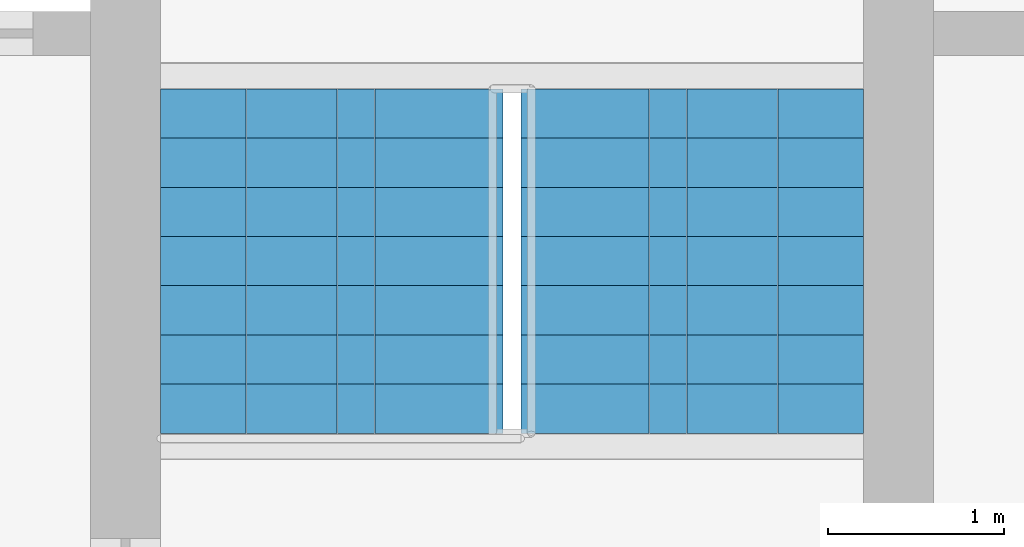
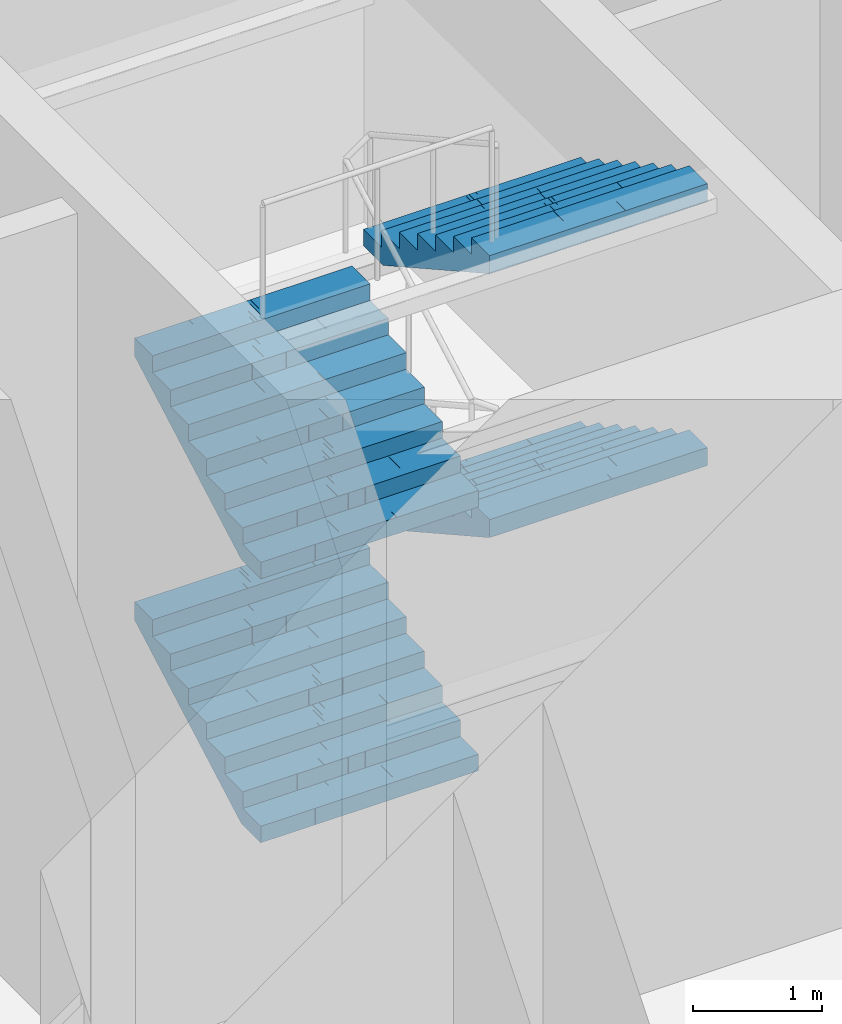
# One storey, part 11 of 13: 4 stair flights, 1 element without a shape of its own.
"""IFC4 building model written with IfcOpenShell, lengths in metres."""

from ifc_helpers import new_model, si_unit, direction, frame, origin, place, context, subcontext, project, spatial, polyline, outline, extrude, material, type_object, element, aggregate, save


model = new_model("IFC4")

# Units and contexts
model_context = context("Model", 3, precision=1e-05, world=origin(), true_north=direction((0.0, 1.0)))
body_context = subcontext(model_context, "Body", "Model", "MODEL_VIEW")
ifc_project = project(units=[si_unit("LENGTHUNIT", "METRE"), si_unit("AREAUNIT", "SQUARE_METRE"), si_unit("VOLUMEUNIT", "CUBIC_METRE"), si_unit("PLANEANGLEUNIT", "RADIAN"), si_unit("MASSUNIT", "GRAM", prefix="KILO")], contexts=[model_context])

# Site, building, storey
site_placement = place(None, origin())
site = spatial("IfcSite", under=ifc_project, at=site_placement, CompositionType="ELEMENT")
building_placement = place(site_placement, origin())
building = spatial("IfcBuilding", under=site, at=building_placement, Name="Mizan Broadcast Tower", CompositionType="ELEMENT")
storey_placement = place(building_placement, frame((0.0, 0.0, 306.300048828125)))
storey = spatial("IfcBuildingStorey", under=building, at=storey_placement, Name="L73", CompositionType="ELEMENT", Elevation=306.300048828125)

# Stair, stair flights
ifc_material_1 = material(Name="Concrete C40/50", Category="concrete")
stair_type = type_object("IfcStairType", Name="EXIT STAIR", PredefinedType="HALF_TURN_STAIR", material=ifc_material_1)
stair_placement = place(storey_placement, origin())
stair = element("IfcStair", 1, at=stair_placement, inside=storey, type_object=stair_type, Name="Stair A L73", PredefinedType="HALF_TURN_STAIR")
ifc_material_2 = material(Name="Concrete C40/50", Category="concrete")
stair_flight_type = type_object("IfcStairFlightType", Name="EXIT STAIR FLIGHT", PredefinedType="STRAIGHT", material=ifc_material_2)
stair_flight_1_placement = place(storey_placement, frame((-1.02490234375, -7.89990234375, 0.0), z_axis=(0.0, 0.0, 1.0), x_axis=(0.0, 1.0, 0.0)))
stair_flight_1 = element("IfcStairFlight", 2, at=stair_flight_1_placement, type_object=stair_flight_type, Name="A flight 1", NumberOfRisers=8, NumberOfTreads=7, PredefinedType="STRAIGHT", RiserHeight=0.15625, TreadLength=0.28, context=body_context, shape_type="SweptSolid", body=[
    extrude(outline(polyline([(0.0, 0.0), (0.0, 0.15625), (0.280029296875, 0.15625), (0.280029296875, 0.3125), (0.56005859375, 0.3125), (0.56005859375, 0.46875), (0.840087890625, 0.46875), (0.840087890625, 0.625), (1.1201171875, 0.625), (1.1201171875, 0.78125), (1.39990234375, 0.78125), (1.39990234375, 0.9375), (1.679931640625, 0.9375), (1.679931640625, 1.09375), (1.9599609375, 1.09375), (1.9599609375, 1.25), (1.9599609375, 0.922119140625), (0.3076171875, 0.0), (0.0, 0.0)])), frame((0.0, 0.97509765625, 0.0), z_axis=(0.0, -1.0, 0.0), x_axis=(1.0, 0.0, 0.0)), (0.0, 0.0, 1.0), 0.4873046875),
    extrude(outline(polyline([(0.0, 0.0), (0.0, 0.15625), (0.280029296875, 0.15625), (0.280029296875, 0.3125), (0.56005859375, 0.3125), (0.56005859375, 0.46875), (0.840087890625, 0.46875), (0.840087890625, 0.625), (1.1201171875, 0.625), (1.1201171875, 0.78125), (1.39990234375, 0.78125), (1.39990234375, 0.9375), (1.679931640625, 0.9375), (1.679931640625, 1.09375), (1.9599609375, 1.09375), (1.9599609375, 1.25), (1.9599609375, 0.922119140625), (0.3076171875, 0.0), (0.0, 0.0)])), frame((0.0, 0.4873046875, 0.0), z_axis=(0.0, -1.0, 0.0), x_axis=(1.0, 0.0, 0.0)), (0.0, 0.0, 1.0), 0.2431640625),
    extrude(outline(polyline([(0.0, 0.0), (0.0, 0.15625), (0.280029296875, 0.15625), (0.280029296875, 0.3125), (0.56005859375, 0.3125), (0.56005859375, 0.46875), (0.840087890625, 0.46875), (0.840087890625, 0.625), (1.1201171875, 0.625), (1.1201171875, 0.78125), (1.39990234375, 0.78125), (1.39990234375, 0.9375), (1.679931640625, 0.9375), (1.679931640625, 1.09375), (1.9599609375, 1.09375), (1.9599609375, 1.25), (1.9599609375, 0.922119140625), (0.3076171875, 0.0), (0.0, 0.0)])), frame((0.0, 0.24365234375, 0.0), z_axis=(0.0, -1.0, 0.0), x_axis=(1.0, 0.0, 0.0)), (0.0, 0.0, 1.0), 0.121337890625),
    extrude(outline(polyline([(0.0, 0.0), (0.0, 0.15625), (0.280029296875, 0.15625), (0.280029296875, 0.3125), (0.56005859375, 0.3125), (0.56005859375, 0.46875), (0.840087890625, 0.46875), (0.840087890625, 0.625), (1.1201171875, 0.625), (1.1201171875, 0.78125), (1.39990234375, 0.78125), (1.39990234375, 0.9375), (1.679931640625, 0.9375), (1.679931640625, 1.09375), (1.9599609375, 1.09375), (1.9599609375, 1.25), (1.9599609375, 0.922119140625), (0.3076171875, 0.0), (0.0, 0.0)])), frame((0.0, 0.121826171875, 0.0), z_axis=(0.0, -1.0, 0.0), x_axis=(1.0, 0.0, 0.0)), (0.0, 0.0, 1.0), 0.060546875),
    extrude(outline(polyline([(0.0, 0.0), (0.0, 0.15625), (0.280029296875, 0.15625), (0.280029296875, 0.3125), (0.56005859375, 0.3125), (0.56005859375, 0.46875), (0.840087890625, 0.46875), (0.840087890625, 0.625), (1.1201171875, 0.625), (1.1201171875, 0.78125), (1.39990234375, 0.78125), (1.39990234375, 0.9375), (1.679931640625, 0.9375), (1.679931640625, 1.09375), (1.9599609375, 1.09375), (1.9599609375, 1.25), (1.9599609375, 0.922119140625), (0.3076171875, 0.0), (0.0, 0.0)])), frame((0.0, 0.060791015625, 0.0), z_axis=(0.0, -1.0, 0.0), x_axis=(1.0, 0.0, 0.0)), (0.0, 0.0, 1.0), 0.030029296875),
    extrude(outline(polyline([(0.0, 0.0), (0.0, 0.15625), (0.280029296875, 0.15625), (0.280029296875, 0.3125), (0.56005859375, 0.3125), (0.56005859375, 0.46875), (0.840087890625, 0.46875), (0.840087890625, 0.625), (1.1201171875, 0.625), (1.1201171875, 0.78125), (1.39990234375, 0.78125), (1.39990234375, 0.9375), (1.679931640625, 0.9375), (1.679931640625, 1.09375), (1.9599609375, 1.09375), (1.9599609375, 1.25), (1.9599609375, 0.922119140625), (0.3076171875, 0.0), (0.0, 0.0)])), frame((0.0, 0.0302734375, 0.0), z_axis=(0.0, -1.0, 0.0), x_axis=(1.0, 0.0, 0.0)), (0.0, 0.0, 1.0), 0.060302734375),
    extrude(outline(polyline([(0.0, 0.0), (0.0, 0.15625), (0.280029296875, 0.15625), (0.280029296875, 0.3125), (0.56005859375, 0.3125), (0.56005859375, 0.46875), (0.840087890625, 0.46875), (0.840087890625, 0.625), (1.1201171875, 0.625), (1.1201171875, 0.78125), (1.39990234375, 0.78125), (1.39990234375, 0.9375), (1.679931640625, 0.9375), (1.679931640625, 1.09375), (1.9599609375, 1.09375), (1.9599609375, 1.25), (1.9599609375, 0.922119140625), (0.3076171875, 0.0), (0.0, 0.0)])), frame((0.0, -0.030517578125, 0.0), z_axis=(0.0, -1.0, 0.0), x_axis=(1.0, 0.0, 0.0)), (0.0, 0.0, 1.0), 0.030029296875),
    extrude(outline(polyline([(0.0, 0.0), (0.0, 0.15625), (0.280029296875, 0.15625), (0.280029296875, 0.3125), (0.56005859375, 0.3125), (0.56005859375, 0.46875), (0.840087890625, 0.46875), (0.840087890625, 0.625), (1.1201171875, 0.625), (1.1201171875, 0.78125), (1.39990234375, 0.78125), (1.39990234375, 0.9375), (1.679931640625, 0.9375), (1.679931640625, 1.09375), (1.9599609375, 1.09375), (1.9599609375, 1.25), (1.9599609375, 0.922119140625), (0.3076171875, 0.0), (0.0, 0.0)])), frame((0.0, -0.06103515625, 0.0), z_axis=(0.0, -1.0, 0.0), x_axis=(1.0, 0.0, 0.0)), (0.0, 0.0, 1.0), 0.060546875),
    extrude(outline(polyline([(0.0, 0.0), (0.0, 0.15625), (0.280029296875, 0.15625), (0.280029296875, 0.3125), (0.56005859375, 0.3125), (0.56005859375, 0.46875), (0.840087890625, 0.46875), (0.840087890625, 0.625), (1.1201171875, 0.625), (1.1201171875, 0.78125), (1.39990234375, 0.78125), (1.39990234375, 0.9375), (1.679931640625, 0.9375), (1.679931640625, 1.09375), (1.9599609375, 1.09375), (1.9599609375, 1.25), (1.9599609375, 0.922119140625), (0.3076171875, 0.0), (0.0, 0.0)])), frame((0.0, -0.1220703125, 0.0), z_axis=(0.0, -1.0, 0.0), x_axis=(1.0, 0.0, 0.0)), (0.0, 0.0, 1.0), 0.121337890625),
    extrude(outline(polyline([(0.0, 0.0), (0.0, 0.15625), (0.280029296875, 0.15625), (0.280029296875, 0.3125), (0.56005859375, 0.3125), (0.56005859375, 0.46875), (0.840087890625, 0.46875), (0.840087890625, 0.625), (1.1201171875, 0.625), (1.1201171875, 0.78125), (1.39990234375, 0.78125), (1.39990234375, 0.9375), (1.679931640625, 0.9375), (1.679931640625, 1.09375), (1.9599609375, 1.09375), (1.9599609375, 1.25), (1.9599609375, 0.922119140625), (0.3076171875, 0.0), (0.0, 0.0)])), frame((0.0, -0.243896484375, 0.0), z_axis=(0.0, -1.0, 0.0), x_axis=(1.0, 0.0, 0.0)), (0.0, 0.0, 1.0), 0.2431640625),
    extrude(outline(polyline([(0.0, 0.0), (0.0, 0.15625), (0.280029296875, 0.15625), (0.280029296875, 0.3125), (0.56005859375, 0.3125), (0.56005859375, 0.46875), (0.840087890625, 0.46875), (0.840087890625, 0.625), (1.1201171875, 0.625), (1.1201171875, 0.78125), (1.39990234375, 0.78125), (1.39990234375, 0.9375), (1.679931640625, 0.9375), (1.679931640625, 1.09375), (1.9599609375, 1.09375), (1.9599609375, 1.25), (1.9599609375, 0.922119140625), (0.3076171875, 0.0), (0.0, 0.0)])), frame((0.0, -0.487548828125, 0.0), z_axis=(0.0, -1.0, 0.0), x_axis=(1.0, 0.0, 0.0)), (0.0, 0.0, 1.0), 0.4873046875),
])
stair_flight_2_placement = place(storey_placement, frame((1.02490234375, -5.93994140625, 1.25), z_axis=(0.0, 0.0, 1.0), x_axis=(0.0, -1.0, 0.0)))
stair_flight_2 = element("IfcStairFlight", 3, at=stair_flight_2_placement, type_object=stair_flight_type, Name="A flight 2", NumberOfRisers=8, NumberOfTreads=7, PredefinedType="STRAIGHT", RiserHeight=0.15625, TreadLength=0.28, context=body_context, shape_type="SweptSolid", body=[
    extrude(outline(polyline([(0.0, 0.0), (0.0, 0.15625), (0.280029296875, 0.15625), (0.280029296875, 0.3125), (0.56005859375, 0.3125), (0.56005859375, 0.46875), (0.840087890625, 0.46875), (0.840087890625, 0.625), (1.1201171875, 0.625), (1.1201171875, 0.78125), (1.39990234375, 0.78125), (1.39990234375, 0.9375), (1.679931640625, 0.9375), (1.679931640625, 1.09375), (1.9599609375, 1.09375), (1.9599609375, 1.25), (1.9599609375, 0.922119140625), (0.3076171875, 0.0), (0.0, 0.0)])), frame((0.0, 0.97509765625, 0.0), z_axis=(0.0, -1.0, 0.0), x_axis=(1.0, 0.0, 0.0)), (0.0, 0.0, 1.0), 0.4873046875),
    extrude(outline(polyline([(0.0, 0.0), (0.0, 0.15625), (0.280029296875, 0.15625), (0.280029296875, 0.3125), (0.56005859375, 0.3125), (0.56005859375, 0.46875), (0.840087890625, 0.46875), (0.840087890625, 0.625), (1.1201171875, 0.625), (1.1201171875, 0.78125), (1.39990234375, 0.78125), (1.39990234375, 0.9375), (1.679931640625, 0.9375), (1.679931640625, 1.09375), (1.9599609375, 1.09375), (1.9599609375, 1.25), (1.9599609375, 0.922119140625), (0.3076171875, 0.0), (0.0, 0.0)])), frame((0.0, 0.4873046875, 0.0), z_axis=(0.0, -1.0, 0.0), x_axis=(1.0, 0.0, 0.0)), (0.0, 0.0, 1.0), 0.2431640625),
    extrude(outline(polyline([(0.0, 0.0), (0.0, 0.15625), (0.280029296875, 0.15625), (0.280029296875, 0.3125), (0.56005859375, 0.3125), (0.56005859375, 0.46875), (0.840087890625, 0.46875), (0.840087890625, 0.625), (1.1201171875, 0.625), (1.1201171875, 0.78125), (1.39990234375, 0.78125), (1.39990234375, 0.9375), (1.679931640625, 0.9375), (1.679931640625, 1.09375), (1.9599609375, 1.09375), (1.9599609375, 1.25), (1.9599609375, 0.922119140625), (0.3076171875, 0.0), (0.0, 0.0)])), frame((0.0, 0.24365234375, 0.0), z_axis=(0.0, -1.0, 0.0), x_axis=(1.0, 0.0, 0.0)), (0.0, 0.0, 1.0), 0.121337890625),
    extrude(outline(polyline([(0.0, 0.0), (0.0, 0.15625), (0.280029296875, 0.15625), (0.280029296875, 0.3125), (0.56005859375, 0.3125), (0.56005859375, 0.46875), (0.840087890625, 0.46875), (0.840087890625, 0.625), (1.1201171875, 0.625), (1.1201171875, 0.78125), (1.39990234375, 0.78125), (1.39990234375, 0.9375), (1.679931640625, 0.9375), (1.679931640625, 1.09375), (1.9599609375, 1.09375), (1.9599609375, 1.25), (1.9599609375, 0.922119140625), (0.3076171875, 0.0), (0.0, 0.0)])), frame((0.0, 0.121826171875, 0.0), z_axis=(0.0, -1.0, 0.0), x_axis=(1.0, 0.0, 0.0)), (0.0, 0.0, 1.0), 0.060546875),
    extrude(outline(polyline([(0.0, 0.0), (0.0, 0.15625), (0.280029296875, 0.15625), (0.280029296875, 0.3125), (0.56005859375, 0.3125), (0.56005859375, 0.46875), (0.840087890625, 0.46875), (0.840087890625, 0.625), (1.1201171875, 0.625), (1.1201171875, 0.78125), (1.39990234375, 0.78125), (1.39990234375, 0.9375), (1.679931640625, 0.9375), (1.679931640625, 1.09375), (1.9599609375, 1.09375), (1.9599609375, 1.25), (1.9599609375, 0.922119140625), (0.3076171875, 0.0), (0.0, 0.0)])), frame((0.0, 0.060791015625, 0.0), z_axis=(0.0, -1.0, 0.0), x_axis=(1.0, 0.0, 0.0)), (0.0, 0.0, 1.0), 0.030029296875),
    extrude(outline(polyline([(0.0, 0.0), (0.0, 0.15625), (0.280029296875, 0.15625), (0.280029296875, 0.3125), (0.56005859375, 0.3125), (0.56005859375, 0.46875), (0.840087890625, 0.46875), (0.840087890625, 0.625), (1.1201171875, 0.625), (1.1201171875, 0.78125), (1.39990234375, 0.78125), (1.39990234375, 0.9375), (1.679931640625, 0.9375), (1.679931640625, 1.09375), (1.9599609375, 1.09375), (1.9599609375, 1.25), (1.9599609375, 0.922119140625), (0.3076171875, 0.0), (0.0, 0.0)])), frame((0.0, 0.0302734375, 0.0), z_axis=(0.0, -1.0, 0.0), x_axis=(1.0, 0.0, 0.0)), (0.0, 0.0, 1.0), 0.060302734375),
    extrude(outline(polyline([(0.0, 0.0), (0.0, 0.15625), (0.280029296875, 0.15625), (0.280029296875, 0.3125), (0.56005859375, 0.3125), (0.56005859375, 0.46875), (0.840087890625, 0.46875), (0.840087890625, 0.625), (1.1201171875, 0.625), (1.1201171875, 0.78125), (1.39990234375, 0.78125), (1.39990234375, 0.9375), (1.679931640625, 0.9375), (1.679931640625, 1.09375), (1.9599609375, 1.09375), (1.9599609375, 1.25), (1.9599609375, 0.922119140625), (0.3076171875, 0.0), (0.0, 0.0)])), frame((0.0, -0.030517578125, 0.0), z_axis=(0.0, -1.0, 0.0), x_axis=(1.0, 0.0, 0.0)), (0.0, 0.0, 1.0), 0.030029296875),
    extrude(outline(polyline([(0.0, 0.0), (0.0, 0.15625), (0.280029296875, 0.15625), (0.280029296875, 0.3125), (0.56005859375, 0.3125), (0.56005859375, 0.46875), (0.840087890625, 0.46875), (0.840087890625, 0.625), (1.1201171875, 0.625), (1.1201171875, 0.78125), (1.39990234375, 0.78125), (1.39990234375, 0.9375), (1.679931640625, 0.9375), (1.679931640625, 1.09375), (1.9599609375, 1.09375), (1.9599609375, 1.25), (1.9599609375, 0.922119140625), (0.3076171875, 0.0), (0.0, 0.0)])), frame((0.0, -0.06103515625, 0.0), z_axis=(0.0, -1.0, 0.0), x_axis=(1.0, 0.0, 0.0)), (0.0, 0.0, 1.0), 0.060546875),
    extrude(outline(polyline([(0.0, 0.0), (0.0, 0.15625), (0.280029296875, 0.15625), (0.280029296875, 0.3125), (0.56005859375, 0.3125), (0.56005859375, 0.46875), (0.840087890625, 0.46875), (0.840087890625, 0.625), (1.1201171875, 0.625), (1.1201171875, 0.78125), (1.39990234375, 0.78125), (1.39990234375, 0.9375), (1.679931640625, 0.9375), (1.679931640625, 1.09375), (1.9599609375, 1.09375), (1.9599609375, 1.25), (1.9599609375, 0.922119140625), (0.3076171875, 0.0), (0.0, 0.0)])), frame((0.0, -0.1220703125, 0.0), z_axis=(0.0, -1.0, 0.0), x_axis=(1.0, 0.0, 0.0)), (0.0, 0.0, 1.0), 0.121337890625),
    extrude(outline(polyline([(0.0, 0.0), (0.0, 0.15625), (0.280029296875, 0.15625), (0.280029296875, 0.3125), (0.56005859375, 0.3125), (0.56005859375, 0.46875), (0.840087890625, 0.46875), (0.840087890625, 0.625), (1.1201171875, 0.625), (1.1201171875, 0.78125), (1.39990234375, 0.78125), (1.39990234375, 0.9375), (1.679931640625, 0.9375), (1.679931640625, 1.09375), (1.9599609375, 1.09375), (1.9599609375, 1.25), (1.9599609375, 0.922119140625), (0.3076171875, 0.0), (0.0, 0.0)])), frame((0.0, -0.243896484375, 0.0), z_axis=(0.0, -1.0, 0.0), x_axis=(1.0, 0.0, 0.0)), (0.0, 0.0, 1.0), 0.2431640625),
    extrude(outline(polyline([(0.0, 0.0), (0.0, 0.15625), (0.280029296875, 0.15625), (0.280029296875, 0.3125), (0.56005859375, 0.3125), (0.56005859375, 0.46875), (0.840087890625, 0.46875), (0.840087890625, 0.625), (1.1201171875, 0.625), (1.1201171875, 0.78125), (1.39990234375, 0.78125), (1.39990234375, 0.9375), (1.679931640625, 0.9375), (1.679931640625, 1.09375), (1.9599609375, 1.09375), (1.9599609375, 1.25), (1.9599609375, 0.922119140625), (0.3076171875, 0.0), (0.0, 0.0)])), frame((0.0, -0.487548828125, 0.0), z_axis=(0.0, -1.0, 0.0), x_axis=(1.0, 0.0, 0.0)), (0.0, 0.0, 1.0), 0.4873046875),
])
stair_flight_3_placement = place(storey_placement, frame((-1.02490234375, -7.89990234375, 2.5), z_axis=(0.0, 0.0, 1.0), x_axis=(0.0, 1.0, 0.0)))
stair_flight_3 = element("IfcStairFlight", 4, at=stair_flight_3_placement, type_object=stair_flight_type, Name="A flight 3", NumberOfRisers=8, NumberOfTreads=7, PredefinedType="STRAIGHT", RiserHeight=0.15625, TreadLength=0.28, context=body_context, shape_type="SweptSolid", body=[
    extrude(outline(polyline([(0.0, 0.0), (0.0, 0.15625), (0.280029296875, 0.15625), (0.280029296875, 0.3125), (0.56005859375, 0.3125), (0.56005859375, 0.46875), (0.840087890625, 0.46875), (0.840087890625, 0.625), (1.1201171875, 0.625), (1.1201171875, 0.78125), (1.39990234375, 0.78125), (1.39990234375, 0.9375), (1.679931640625, 0.9375), (1.679931640625, 1.09375), (1.9599609375, 1.09375), (1.9599609375, 1.25), (1.9599609375, 0.922119140625), (0.3076171875, 0.0), (0.0, 0.0)])), frame((0.0, 0.97509765625, 0.0), z_axis=(0.0, -1.0, 0.0), x_axis=(1.0, 0.0, 0.0)), (0.0, 0.0, 1.0), 0.4873046875),
    extrude(outline(polyline([(0.0, 0.0), (0.0, 0.15625), (0.280029296875, 0.15625), (0.280029296875, 0.3125), (0.56005859375, 0.3125), (0.56005859375, 0.46875), (0.840087890625, 0.46875), (0.840087890625, 0.625), (1.1201171875, 0.625), (1.1201171875, 0.78125), (1.39990234375, 0.78125), (1.39990234375, 0.9375), (1.679931640625, 0.9375), (1.679931640625, 1.09375), (1.9599609375, 1.09375), (1.9599609375, 1.25), (1.9599609375, 0.922119140625), (0.3076171875, 0.0), (0.0, 0.0)])), frame((0.0, 0.4873046875, 0.0), z_axis=(0.0, -1.0, 0.0), x_axis=(1.0, 0.0, 0.0)), (0.0, 0.0, 1.0), 0.2431640625),
    extrude(outline(polyline([(0.0, 0.0), (0.0, 0.15625), (0.280029296875, 0.15625), (0.280029296875, 0.3125), (0.56005859375, 0.3125), (0.56005859375, 0.46875), (0.840087890625, 0.46875), (0.840087890625, 0.625), (1.1201171875, 0.625), (1.1201171875, 0.78125), (1.39990234375, 0.78125), (1.39990234375, 0.9375), (1.679931640625, 0.9375), (1.679931640625, 1.09375), (1.9599609375, 1.09375), (1.9599609375, 1.25), (1.9599609375, 0.922119140625), (0.3076171875, 0.0), (0.0, 0.0)])), frame((0.0, 0.24365234375, 0.0), z_axis=(0.0, -1.0, 0.0), x_axis=(1.0, 0.0, 0.0)), (0.0, 0.0, 1.0), 0.121337890625),
    extrude(outline(polyline([(0.0, 0.0), (0.0, 0.15625), (0.280029296875, 0.15625), (0.280029296875, 0.3125), (0.56005859375, 0.3125), (0.56005859375, 0.46875), (0.840087890625, 0.46875), (0.840087890625, 0.625), (1.1201171875, 0.625), (1.1201171875, 0.78125), (1.39990234375, 0.78125), (1.39990234375, 0.9375), (1.679931640625, 0.9375), (1.679931640625, 1.09375), (1.9599609375, 1.09375), (1.9599609375, 1.25), (1.9599609375, 0.922119140625), (0.3076171875, 0.0), (0.0, 0.0)])), frame((0.0, 0.121826171875, 0.0), z_axis=(0.0, -1.0, 0.0), x_axis=(1.0, 0.0, 0.0)), (0.0, 0.0, 1.0), 0.060546875),
    extrude(outline(polyline([(0.0, 0.0), (0.0, 0.15625), (0.280029296875, 0.15625), (0.280029296875, 0.3125), (0.56005859375, 0.3125), (0.56005859375, 0.46875), (0.840087890625, 0.46875), (0.840087890625, 0.625), (1.1201171875, 0.625), (1.1201171875, 0.78125), (1.39990234375, 0.78125), (1.39990234375, 0.9375), (1.679931640625, 0.9375), (1.679931640625, 1.09375), (1.9599609375, 1.09375), (1.9599609375, 1.25), (1.9599609375, 0.922119140625), (0.3076171875, 0.0), (0.0, 0.0)])), frame((0.0, 0.060791015625, 0.0), z_axis=(0.0, -1.0, 0.0), x_axis=(1.0, 0.0, 0.0)), (0.0, 0.0, 1.0), 0.030029296875),
    extrude(outline(polyline([(0.0, 0.0), (0.0, 0.15625), (0.280029296875, 0.15625), (0.280029296875, 0.3125), (0.56005859375, 0.3125), (0.56005859375, 0.46875), (0.840087890625, 0.46875), (0.840087890625, 0.625), (1.1201171875, 0.625), (1.1201171875, 0.78125), (1.39990234375, 0.78125), (1.39990234375, 0.9375), (1.679931640625, 0.9375), (1.679931640625, 1.09375), (1.9599609375, 1.09375), (1.9599609375, 1.25), (1.9599609375, 0.922119140625), (0.3076171875, 0.0), (0.0, 0.0)])), frame((0.0, 0.0302734375, 0.0), z_axis=(0.0, -1.0, 0.0), x_axis=(1.0, 0.0, 0.0)), (0.0, 0.0, 1.0), 0.060302734375),
    extrude(outline(polyline([(0.0, 0.0), (0.0, 0.15625), (0.280029296875, 0.15625), (0.280029296875, 0.3125), (0.56005859375, 0.3125), (0.56005859375, 0.46875), (0.840087890625, 0.46875), (0.840087890625, 0.625), (1.1201171875, 0.625), (1.1201171875, 0.78125), (1.39990234375, 0.78125), (1.39990234375, 0.9375), (1.679931640625, 0.9375), (1.679931640625, 1.09375), (1.9599609375, 1.09375), (1.9599609375, 1.25), (1.9599609375, 0.922119140625), (0.3076171875, 0.0), (0.0, 0.0)])), frame((0.0, -0.030517578125, 0.0), z_axis=(0.0, -1.0, 0.0), x_axis=(1.0, 0.0, 0.0)), (0.0, 0.0, 1.0), 0.030029296875),
    extrude(outline(polyline([(0.0, 0.0), (0.0, 0.15625), (0.280029296875, 0.15625), (0.280029296875, 0.3125), (0.56005859375, 0.3125), (0.56005859375, 0.46875), (0.840087890625, 0.46875), (0.840087890625, 0.625), (1.1201171875, 0.625), (1.1201171875, 0.78125), (1.39990234375, 0.78125), (1.39990234375, 0.9375), (1.679931640625, 0.9375), (1.679931640625, 1.09375), (1.9599609375, 1.09375), (1.9599609375, 1.25), (1.9599609375, 0.922119140625), (0.3076171875, 0.0), (0.0, 0.0)])), frame((0.0, -0.06103515625, 0.0), z_axis=(0.0, -1.0, 0.0), x_axis=(1.0, 0.0, 0.0)), (0.0, 0.0, 1.0), 0.060546875),
    extrude(outline(polyline([(0.0, 0.0), (0.0, 0.15625), (0.280029296875, 0.15625), (0.280029296875, 0.3125), (0.56005859375, 0.3125), (0.56005859375, 0.46875), (0.840087890625, 0.46875), (0.840087890625, 0.625), (1.1201171875, 0.625), (1.1201171875, 0.78125), (1.39990234375, 0.78125), (1.39990234375, 0.9375), (1.679931640625, 0.9375), (1.679931640625, 1.09375), (1.9599609375, 1.09375), (1.9599609375, 1.25), (1.9599609375, 0.922119140625), (0.3076171875, 0.0), (0.0, 0.0)])), frame((0.0, -0.1220703125, 0.0), z_axis=(0.0, -1.0, 0.0), x_axis=(1.0, 0.0, 0.0)), (0.0, 0.0, 1.0), 0.121337890625),
    extrude(outline(polyline([(0.0, 0.0), (0.0, 0.15625), (0.280029296875, 0.15625), (0.280029296875, 0.3125), (0.56005859375, 0.3125), (0.56005859375, 0.46875), (0.840087890625, 0.46875), (0.840087890625, 0.625), (1.1201171875, 0.625), (1.1201171875, 0.78125), (1.39990234375, 0.78125), (1.39990234375, 0.9375), (1.679931640625, 0.9375), (1.679931640625, 1.09375), (1.9599609375, 1.09375), (1.9599609375, 1.25), (1.9599609375, 0.922119140625), (0.3076171875, 0.0), (0.0, 0.0)])), frame((0.0, -0.243896484375, 0.0), z_axis=(0.0, -1.0, 0.0), x_axis=(1.0, 0.0, 0.0)), (0.0, 0.0, 1.0), 0.2431640625),
    extrude(outline(polyline([(0.0, 0.0), (0.0, 0.15625), (0.280029296875, 0.15625), (0.280029296875, 0.3125), (0.56005859375, 0.3125), (0.56005859375, 0.46875), (0.840087890625, 0.46875), (0.840087890625, 0.625), (1.1201171875, 0.625), (1.1201171875, 0.78125), (1.39990234375, 0.78125), (1.39990234375, 0.9375), (1.679931640625, 0.9375), (1.679931640625, 1.09375), (1.9599609375, 1.09375), (1.9599609375, 1.25), (1.9599609375, 0.922119140625), (0.3076171875, 0.0), (0.0, 0.0)])), frame((0.0, -0.487548828125, 0.0), z_axis=(0.0, -1.0, 0.0), x_axis=(1.0, 0.0, 0.0)), (0.0, 0.0, 1.0), 0.4873046875),
])
stair_flight_4_placement = place(storey_placement, frame((1.02490234375, -5.93994140625, 3.75), z_axis=(0.0, 0.0, 1.0), x_axis=(0.0, -1.0, 0.0)))
stair_flight_4 = element("IfcStairFlight", 5, at=stair_flight_4_placement, type_object=stair_flight_type, Name="A flight 4", NumberOfRisers=8, NumberOfTreads=7, PredefinedType="STRAIGHT", RiserHeight=0.15625, TreadLength=0.28, context=body_context, shape_type="SweptSolid", body=[
    extrude(outline(polyline([(0.0, 0.0), (0.0, 0.15625), (0.280029296875, 0.15625), (0.280029296875, 0.3125), (0.56005859375, 0.3125), (0.56005859375, 0.46875), (0.840087890625, 0.46875), (0.840087890625, 0.625), (1.1201171875, 0.625), (1.1201171875, 0.78125), (1.39990234375, 0.78125), (1.39990234375, 0.9375), (1.679931640625, 0.9375), (1.679931640625, 1.09375), (1.9599609375, 1.09375), (1.9599609375, 1.25), (1.9599609375, 0.922119140625), (0.3076171875, 0.0), (0.0, 0.0)])), frame((0.0, 0.97509765625, 0.0), z_axis=(0.0, -1.0, 0.0), x_axis=(1.0, 0.0, 0.0)), (0.0, 0.0, 1.0), 0.4873046875),
    extrude(outline(polyline([(0.0, 0.0), (0.0, 0.15625), (0.280029296875, 0.15625), (0.280029296875, 0.3125), (0.56005859375, 0.3125), (0.56005859375, 0.46875), (0.840087890625, 0.46875), (0.840087890625, 0.625), (1.1201171875, 0.625), (1.1201171875, 0.78125), (1.39990234375, 0.78125), (1.39990234375, 0.9375), (1.679931640625, 0.9375), (1.679931640625, 1.09375), (1.9599609375, 1.09375), (1.9599609375, 1.25), (1.9599609375, 0.922119140625), (0.3076171875, 0.0), (0.0, 0.0)])), frame((0.0, 0.4873046875, 0.0), z_axis=(0.0, -1.0, 0.0), x_axis=(1.0, 0.0, 0.0)), (0.0, 0.0, 1.0), 0.2431640625),
    extrude(outline(polyline([(0.0, 0.0), (0.0, 0.15625), (0.280029296875, 0.15625), (0.280029296875, 0.3125), (0.56005859375, 0.3125), (0.56005859375, 0.46875), (0.840087890625, 0.46875), (0.840087890625, 0.625), (1.1201171875, 0.625), (1.1201171875, 0.78125), (1.39990234375, 0.78125), (1.39990234375, 0.9375), (1.679931640625, 0.9375), (1.679931640625, 1.09375), (1.9599609375, 1.09375), (1.9599609375, 1.25), (1.9599609375, 0.922119140625), (0.3076171875, 0.0), (0.0, 0.0)])), frame((0.0, 0.24365234375, 0.0), z_axis=(0.0, -1.0, 0.0), x_axis=(1.0, 0.0, 0.0)), (0.0, 0.0, 1.0), 0.121337890625),
    extrude(outline(polyline([(0.0, 0.0), (0.0, 0.15625), (0.280029296875, 0.15625), (0.280029296875, 0.3125), (0.56005859375, 0.3125), (0.56005859375, 0.46875), (0.840087890625, 0.46875), (0.840087890625, 0.625), (1.1201171875, 0.625), (1.1201171875, 0.78125), (1.39990234375, 0.78125), (1.39990234375, 0.9375), (1.679931640625, 0.9375), (1.679931640625, 1.09375), (1.9599609375, 1.09375), (1.9599609375, 1.25), (1.9599609375, 0.922119140625), (0.3076171875, 0.0), (0.0, 0.0)])), frame((0.0, 0.121826171875, 0.0), z_axis=(0.0, -1.0, 0.0), x_axis=(1.0, 0.0, 0.0)), (0.0, 0.0, 1.0), 0.060546875),
    extrude(outline(polyline([(0.0, 0.0), (0.0, 0.15625), (0.280029296875, 0.15625), (0.280029296875, 0.3125), (0.56005859375, 0.3125), (0.56005859375, 0.46875), (0.840087890625, 0.46875), (0.840087890625, 0.625), (1.1201171875, 0.625), (1.1201171875, 0.78125), (1.39990234375, 0.78125), (1.39990234375, 0.9375), (1.679931640625, 0.9375), (1.679931640625, 1.09375), (1.9599609375, 1.09375), (1.9599609375, 1.25), (1.9599609375, 0.922119140625), (0.3076171875, 0.0), (0.0, 0.0)])), frame((0.0, 0.060791015625, 0.0), z_axis=(0.0, -1.0, 0.0), x_axis=(1.0, 0.0, 0.0)), (0.0, 0.0, 1.0), 0.030029296875),
    extrude(outline(polyline([(0.0, 0.0), (0.0, 0.15625), (0.280029296875, 0.15625), (0.280029296875, 0.3125), (0.56005859375, 0.3125), (0.56005859375, 0.46875), (0.840087890625, 0.46875), (0.840087890625, 0.625), (1.1201171875, 0.625), (1.1201171875, 0.78125), (1.39990234375, 0.78125), (1.39990234375, 0.9375), (1.679931640625, 0.9375), (1.679931640625, 1.09375), (1.9599609375, 1.09375), (1.9599609375, 1.25), (1.9599609375, 0.922119140625), (0.3076171875, 0.0), (0.0, 0.0)])), frame((0.0, 0.0302734375, 0.0), z_axis=(0.0, -1.0, 0.0), x_axis=(1.0, 0.0, 0.0)), (0.0, 0.0, 1.0), 0.060302734375),
    extrude(outline(polyline([(0.0, 0.0), (0.0, 0.15625), (0.280029296875, 0.15625), (0.280029296875, 0.3125), (0.56005859375, 0.3125), (0.56005859375, 0.46875), (0.840087890625, 0.46875), (0.840087890625, 0.625), (1.1201171875, 0.625), (1.1201171875, 0.78125), (1.39990234375, 0.78125), (1.39990234375, 0.9375), (1.679931640625, 0.9375), (1.679931640625, 1.09375), (1.9599609375, 1.09375), (1.9599609375, 1.25), (1.9599609375, 0.922119140625), (0.3076171875, 0.0), (0.0, 0.0)])), frame((0.0, -0.030517578125, 0.0), z_axis=(0.0, -1.0, 0.0), x_axis=(1.0, 0.0, 0.0)), (0.0, 0.0, 1.0), 0.030029296875),
    extrude(outline(polyline([(0.0, 0.0), (0.0, 0.15625), (0.280029296875, 0.15625), (0.280029296875, 0.3125), (0.56005859375, 0.3125), (0.56005859375, 0.46875), (0.840087890625, 0.46875), (0.840087890625, 0.625), (1.1201171875, 0.625), (1.1201171875, 0.78125), (1.39990234375, 0.78125), (1.39990234375, 0.9375), (1.679931640625, 0.9375), (1.679931640625, 1.09375), (1.9599609375, 1.09375), (1.9599609375, 1.25), (1.9599609375, 0.922119140625), (0.3076171875, 0.0), (0.0, 0.0)])), frame((0.0, -0.06103515625, 0.0), z_axis=(0.0, -1.0, 0.0), x_axis=(1.0, 0.0, 0.0)), (0.0, 0.0, 1.0), 0.060546875),
    extrude(outline(polyline([(0.0, 0.0), (0.0, 0.15625), (0.280029296875, 0.15625), (0.280029296875, 0.3125), (0.56005859375, 0.3125), (0.56005859375, 0.46875), (0.840087890625, 0.46875), (0.840087890625, 0.625), (1.1201171875, 0.625), (1.1201171875, 0.78125), (1.39990234375, 0.78125), (1.39990234375, 0.9375), (1.679931640625, 0.9375), (1.679931640625, 1.09375), (1.9599609375, 1.09375), (1.9599609375, 1.25), (1.9599609375, 0.922119140625), (0.3076171875, 0.0), (0.0, 0.0)])), frame((0.0, -0.1220703125, 0.0), z_axis=(0.0, -1.0, 0.0), x_axis=(1.0, 0.0, 0.0)), (0.0, 0.0, 1.0), 0.121337890625),
    extrude(outline(polyline([(0.0, 0.0), (0.0, 0.15625), (0.280029296875, 0.15625), (0.280029296875, 0.3125), (0.56005859375, 0.3125), (0.56005859375, 0.46875), (0.840087890625, 0.46875), (0.840087890625, 0.625), (1.1201171875, 0.625), (1.1201171875, 0.78125), (1.39990234375, 0.78125), (1.39990234375, 0.9375), (1.679931640625, 0.9375), (1.679931640625, 1.09375), (1.9599609375, 1.09375), (1.9599609375, 1.25), (1.9599609375, 0.922119140625), (0.3076171875, 0.0), (0.0, 0.0)])), frame((0.0, -0.243896484375, 0.0), z_axis=(0.0, -1.0, 0.0), x_axis=(1.0, 0.0, 0.0)), (0.0, 0.0, 1.0), 0.2431640625),
    extrude(outline(polyline([(0.0, 0.0), (0.0, 0.15625), (0.280029296875, 0.15625), (0.280029296875, 0.3125), (0.56005859375, 0.3125), (0.56005859375, 0.46875), (0.840087890625, 0.46875), (0.840087890625, 0.625), (1.1201171875, 0.625), (1.1201171875, 0.78125), (1.39990234375, 0.78125), (1.39990234375, 0.9375), (1.679931640625, 0.9375), (1.679931640625, 1.09375), (1.9599609375, 1.09375), (1.9599609375, 1.25), (1.9599609375, 0.922119140625), (0.3076171875, 0.0), (0.0, 0.0)])), frame((0.0, -0.487548828125, 0.0), z_axis=(0.0, -1.0, 0.0), x_axis=(1.0, 0.0, 0.0)), (0.0, 0.0, 1.0), 0.4873046875),
])
aggregate(stair, [stair_flight_1, stair_flight_2, stair_flight_3, stair_flight_4])

save(model, "model.ifc")
